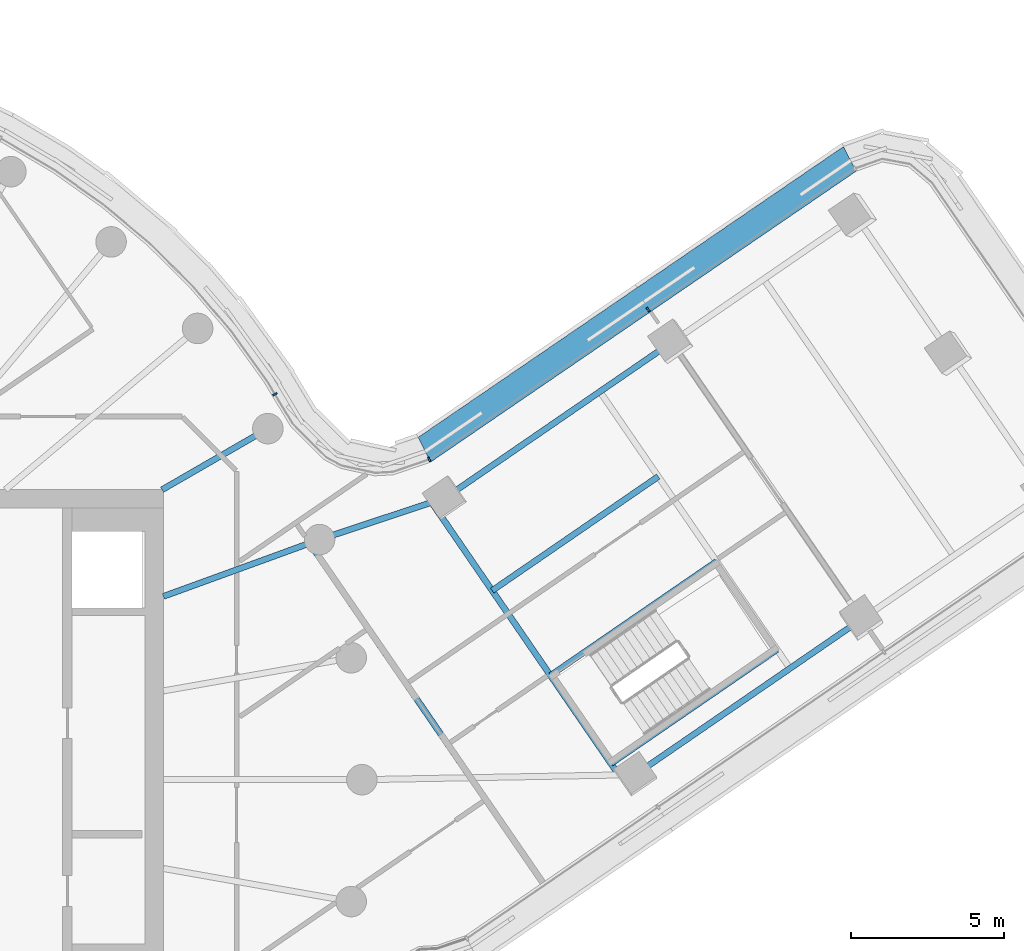
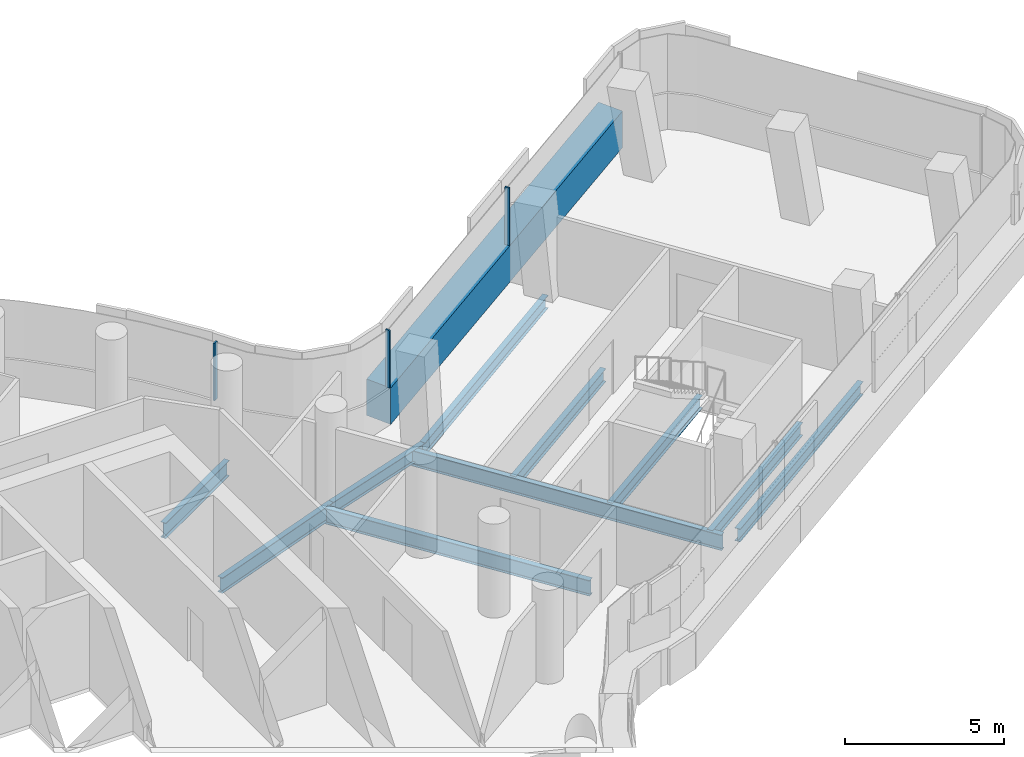
# One storey, part 13 of 33: 10 beams, 4 members, 2 elements without a shape of their own.
"""IFC4 building model written with IfcOpenShell, lengths in metres."""

from ifc_helpers import new_model, si_unit, direction, frame, origin, origin_2d, place, context, subcontext, project, spatial, polyline, rectangle, i_section, outline, extrude, material, layer, layer_set, material_profile, profile_set, type_object, element, aggregate, save


model = new_model("IFC4")

# Units and contexts
model_context = context("Model", 3, precision=1e-05, world=origin(), true_north=direction((0.0, 1.0)))
body_context = subcontext(model_context, "Body", "Model", "MODEL_VIEW")
ifc_project = project(units=[si_unit("LENGTHUNIT", "METRE"), si_unit("AREAUNIT", "SQUARE_METRE"), si_unit("VOLUMEUNIT", "CUBIC_METRE"), si_unit("PLANEANGLEUNIT", "RADIAN"), si_unit("MASSUNIT", "GRAM", prefix="KILO")], contexts=[model_context])

# Site, building, storey
site_placement = place(None, origin())
site = spatial("IfcSite", under=ifc_project, at=site_placement, CompositionType="ELEMENT")
building_placement = place(site_placement, origin())
building = spatial("IfcBuilding", under=site, at=building_placement, Name="Tamarind Cross Interchange Tower", CompositionType="ELEMENT")
storey_placement = place(building_placement, frame((0.0, 0.0, 159.25)))
storey = spatial("IfcBuildingStorey", under=building, at=storey_placement, Name="L39", CompositionType="ELEMENT", Elevation=159.25)

# Beams
ifc_material_1 = material(Name="Steel Q355B", Category="steel")
ifc_material_profile_1 = material_profile(ifc_material_1, i_section(OverallWidth=0.198974609375, OverallDepth=0.49609375, WebThickness=0.009033203125, FlangeThickness=0.013916015625, FilletRadius=0.012939453125, at=origin_2d()), Name="HN 496x199x9x14")
ifc_profile_set_1 = profile_set([ifc_material_profile_1], Name="Steel Q355B")
beam_type_1 = type_object("IfcBeamType", Name="Composite beam HN 496x199x9x14 Q355B", PredefinedType="BEAM", material=ifc_profile_set_1)
beam_1_placement = place(storey_placement, frame((39.37451171875, 5.259521484375, -0.387939453125), z_axis=(-0.824342582244, -0.566091253332, 0.0), x_axis=(0.566091253332, -0.824342582244, 0.0)))
element("IfcBeam", 1, at=beam_1_placement, inside=storey, type_object=beam_type_1, Name="Beam E-edgeem6", PredefinedType="BEAM", context=body_context, shape_type="SweptSolid", body=[
    extrude(i_section(OverallWidth=0.198974609375, OverallDepth=0.49609375, WebThickness=0.009033203125, FlangeThickness=0.013916015625, FilletRadius=0.012939453125, at=origin_2d()), origin(), (0.0, 0.0, 1.0), 8.999755859375),
])
beam_2_placement = place(storey_placement, frame((33.1474609375, 14.327392578125, -0.387939453125), z_axis=(-0.824329923221, -0.566109686972, 0.0), x_axis=(0.566109686972, -0.824329923221, 0.0)))
element("IfcBeam", 2, at=beam_2_placement, inside=storey, type_object=beam_type_1, Name="Beam E-edgeep3", PredefinedType="BEAM", context=body_context, shape_type="SweptSolid", body=[
    extrude(i_section(OverallWidth=0.198974609375, OverallDepth=0.49609375, WebThickness=0.009033203125, FlangeThickness=0.013916015625, FilletRadius=0.012939453125, at=origin_2d()), origin(), (0.0, 0.0, 1.0), 9.0),
])
beam_3_placement = place(storey_placement, frame((25.728515625, 9.232421875, -0.387939453125), z_axis=(-0.949087895134, -0.315011376477, 0.0), x_axis=(0.315011376477, -0.949087895134, 0.0)))
element("IfcBeam", 3, at=beam_3_placement, inside=storey, type_object=beam_type_1, Name="Beam E-linkep", PredefinedType="BEAM", context=body_context, shape_type="SweptSolid", body=[
    extrude(i_section(OverallWidth=0.198974609375, OverallDepth=0.49609375, WebThickness=0.009033203125, FlangeThickness=0.013916015625, FilletRadius=0.012939453125, at=origin_2d()), origin(), (0.0, 0.0, 1.0), 4.336181640625),
])
beam_4_placement = place(storey_placement, frame((31.159912109375, 0.5283203125, -0.387939453125), z_axis=(0.824351566529, 0.566078170186, 0.0), x_axis=(-0.566078170186, 0.824351566529, 0.0)))
element("IfcBeam", 4, at=beam_4_placement, inside=storey, type_object=beam_type_1, Name="Beam E-tr0", PredefinedType="BEAM", context=body_context, shape_type="SweptSolid", body=[
    extrude(i_section(OverallWidth=0.198974609375, OverallDepth=0.49609375, WebThickness=0.009033203125, FlangeThickness=0.013916015625, FilletRadius=0.012939453125, at=origin_2d()), origin(), (0.0, 0.0, 1.0), 6.599853515625),
])
for number, where, z_axis, x_axis, name in (
    (5, (29.1787109375, 3.413330078125, -0.387939453125), (0.824334304603, 0.566103307052, 0.0), (-0.566103307052, 0.824334304603, 0.0), "Beam E-tr1"),
    (6, (27.26806640625, 6.195556640625, -0.387939453125), (0.824334304603, 0.566103307052, 0.0), (-0.566103307052, 0.824334304603, 0.0), "Beam E-stripp"),
):
    element("IfcBeam", number, at=place(storey_placement, frame(where, z_axis=z_axis, x_axis=x_axis)), inside=storey, type_object=beam_type_1, Name=name, PredefinedType="BEAM", context=body_context, shape_type="SweptSolid", body=[
        extrude(i_section(OverallWidth=0.198974609375, OverallDepth=0.49609375, WebThickness=0.009033203125, FlangeThickness=0.013916015625, FilletRadius=0.012939453125, at=origin_2d()), origin(), (0.0, 0.0, 1.0), 6.60009765625),
    ])
ifc_material_profile_2 = material_profile(ifc_material_1, i_section(OverallWidth=0.198974609375, OverallDepth=0.595947265625, WebThickness=0.010009765625, FlangeThickness=0.014892578125, FilletRadius=0.012939453125, at=origin_2d()), Name="HN 596x199x10x15")
ifc_profile_set_2 = profile_set([ifc_material_profile_2], Name="Steel Q355B")
beam_type_2 = type_object("IfcBeamType", Name="Composite beam HN 596x199x10x15 Q355B", PredefinedType="BEAM", material=ifc_profile_set_2)
beam_5_placement = place(storey_placement, frame((21.613037109375, 7.866455078125, -0.43798828125), z_axis=(-0.939701685589, -0.341995236956, 0.0), x_axis=(0.341995236956, -0.939701685589, 0.0)))
element("IfcBeam", 7, at=beam_5_placement, inside=storey, type_object=beam_type_2, Name="Beam HH02", PredefinedType="BEAM", context=body_context, shape_type="SweptSolid", body=[
    extrude(i_section(OverallWidth=0.198974609375, OverallDepth=0.595947265625, WebThickness=0.010009765625, FlangeThickness=0.014892578125, FilletRadius=0.012939453125, at=origin_2d()), origin(), (0.0, 0.0, 1.0), 5.441162109375),
])
beam_6_placement = place(storey_placement, frame((19.918701171875, 11.5, -0.43798828125), z_axis=(-0.866026010844, -0.49999894854, 0.0), x_axis=(0.49999894854, -0.866026010844, 0.0)))
element("IfcBeam", 8, at=beam_6_placement, inside=storey, type_object=beam_type_2, Name="Beam HH03", PredefinedType="BEAM", context=body_context, shape_type="SweptSolid", body=[
    extrude(i_section(OverallWidth=0.198974609375, OverallDepth=0.595947265625, WebThickness=0.010009765625, FlangeThickness=0.014892578125, FilletRadius=0.012939453125, at=origin_2d()), origin(), (0.0, 0.0, 1.0), 4.0),
])
ifc_material_profile_3 = material_profile(ifc_material_1, i_section(OverallWidth=0.199951171875, OverallDepth=0.60009765625, WebThickness=0.010986328125, FlangeThickness=0.01708984375, FilletRadius=0.012939453125, at=origin_2d()), Name="HN 600x200x11x17")
ifc_profile_set_3 = profile_set([ifc_material_profile_3], Name="Steel Q355B")
beam_type_3 = type_object("IfcBeamType", Name="Composite beam HN 600x200x11x17 Q355B", PredefinedType="BEAM", material=ifc_profile_set_3)
beam_7_placement = place(storey_placement, frame((31.41650390625, 0.15478515625, -0.43994140625), z_axis=(-0.56609451297, 0.824340343781, 0.0), x_axis=(-0.824340343781, -0.56609451297, 0.0)))
element("IfcBeam", 9, at=beam_7_placement, inside=storey, type_object=beam_type_3, Name="Beam E-x298", PredefinedType="BEAM", context=body_context, shape_type="SweptSolid", body=[
    extrude(i_section(OverallWidth=0.199951171875, OverallDepth=0.60009765625, WebThickness=0.010986328125, FlangeThickness=0.01708984375, FilletRadius=0.012939453125, at=origin_2d()), origin(), (0.0, 0.0, 1.0), 10.8330078125),
])
beam_8_placement = place(storey_placement, frame((26.564697265625, 0.065673828125, -0.43994140625), z_axis=(-0.566112439203, 0.824328033115, 0.0), x_axis=(-0.824328033115, -0.566112439203, 0.0)))
element("IfcBeam", 10, at=beam_8_placement, inside=storey, type_object=beam_type_3, Name="Beam E-x258", PredefinedType="BEAM", context=body_context, shape_type="SweptSolid", body=[
    extrude(i_section(OverallWidth=0.199951171875, OverallDepth=0.60009765625, WebThickness=0.010986328125, FlangeThickness=0.01708984375, FilletRadius=0.012939453125, at=origin_2d()), origin(), (0.0, 0.0, 1.0), 9.233642578125),
])

# Curtain wall, members
ifc_material_2 = material(Name="Aluminium 6063-T6", Category="aluminium")
ifc_layer = layer(ifc_material_2, 0.159912109375)
ifc_layer_set = layer_set([ifc_layer], Name="Aluminium 6063-T6")
curtain_wall_type = type_object("IfcCurtainWallType", Name="Office curtain wall, 9.0 m bays", PredefinedType="NOTDEFINED", material=ifc_layer_set)
curtain_wall_1_placement = place(storey_placement, origin())
curtain_wall_1 = element("IfcCurtainWall", 11, at=curtain_wall_1_placement, inside=storey, type_object=curtain_wall_type, Name="CWS-L39-09", PredefinedType="NOTDEFINED")
ifc_material_3 = material(Name="Aluminium and insulated spandrel panel", Category="aluminium")
member_type_1 = type_object("IfcMemberType", Name="Floor-edge blade transom", PredefinedType="USERDEFINED", material=ifc_material_3)
member_1_placement = place(storey_placement, origin())
member_1 = element("IfcMember", 12, at=member_1_placement, type_object=member_type_1, Name="CWT-L39-09", ObjectType="TRANSOM", PredefinedType="USERDEFINED", context=body_context, shape_type="SweptSolid", body=[
    extrude(outline(polyline([(39.18994140625, 19.9326171875), (25.25, 10.404296875), (24.84326171875, 11.21630859375), (38.779052734375, 20.741943359375), (39.18994140625, 19.9326171875)])), origin(), (0.0, 0.0, 1.0), 1.39990234375),
])
ifc_material_profile_4 = material_profile(ifc_material_2, rectangle(XDim=0.06005859375, YDim=0.159912109375, at=origin_2d()), Name="Mullion CW1")
ifc_profile_set_4 = profile_set([ifc_material_profile_4], Name="Aluminium 6063-T6")
member_type_2 = type_object("IfcMemberType", Name="Mullion CW1", PredefinedType="MULLION", material=ifc_profile_set_4)
member_2_placement = place(storey_placement, frame((32.379150390625, 15.3984375, 1.39990234375), z_axis=(0.0, 0.0, 1.0), x_axis=(-0.825569418072, -0.564300572341, 0.0)))
member_2 = element("IfcMember", 13, at=member_2_placement, type_object=member_type_2, Name="CWM-L39-09-01", PredefinedType="MULLION", context=body_context, shape_type="SweptSolid", body=[
    extrude(rectangle(XDim=0.06005859375, YDim=0.159912109375, at=origin_2d()), origin(), (0.0, 0.0, 1.0), 2.210205078125),
])
aggregate(curtain_wall_1, [member_2, member_1])

curtain_wall_2_placement = place(storey_placement, origin())
curtain_wall_2 = element("IfcCurtainWall", 14, at=curtain_wall_2_placement, inside=storey, type_object=curtain_wall_type, Name="CWS-L39-10", PredefinedType="NOTDEFINED")
member_3_placement = place(storey_placement, frame((25.204833984375, 10.494384765625, 1.39990234375), z_axis=(0.0, 0.0, 1.0), x_axis=(-0.894086570017, -0.447894189864, 0.0)))
member_3 = element("IfcMember", 15, at=member_3_placement, type_object=member_type_2, Name="CWM-L39-10-00", PredefinedType="MULLION", context=body_context, shape_type="SweptSolid", body=[
    extrude(rectangle(XDim=0.06005859375, YDim=0.159912109375, at=origin_2d()), origin(), (0.0, 0.0, 1.0), 2.210205078125),
])
member_4_placement = place(storey_placement, frame((20.149169921875, 12.629150390625, 1.39990234375), z_axis=(0.0, 0.0, 1.0), x_axis=(-0.51624774387, 0.856439295542, 0.0)))
member_4 = element("IfcMember", 16, at=member_4_placement, type_object=member_type_2, Name="CWM-L39-10-01", PredefinedType="MULLION", context=body_context, shape_type="SweptSolid", body=[
    extrude(rectangle(XDim=0.06005859375, YDim=0.159912109375, at=origin_2d()), origin(), (0.0, 0.0, 1.0), 2.210205078125),
])
aggregate(curtain_wall_2, [member_3, member_4])

save(model, "model.ifc")
